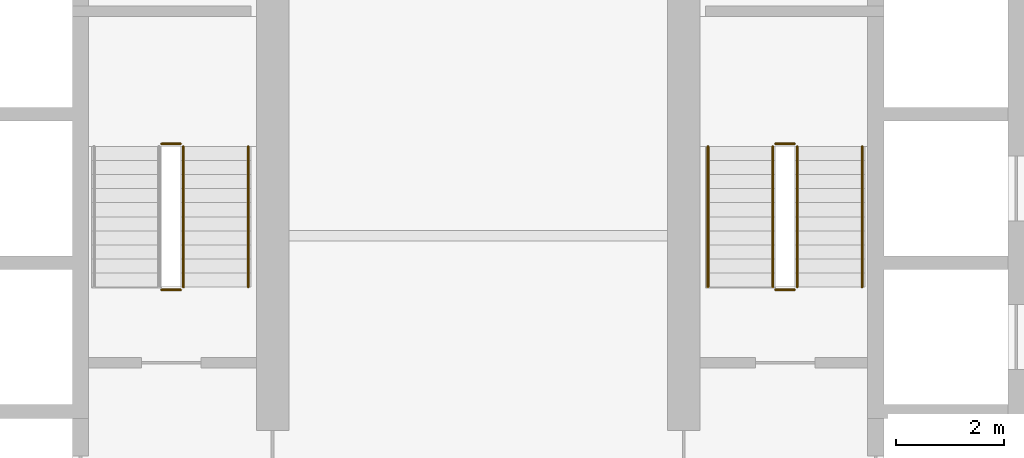
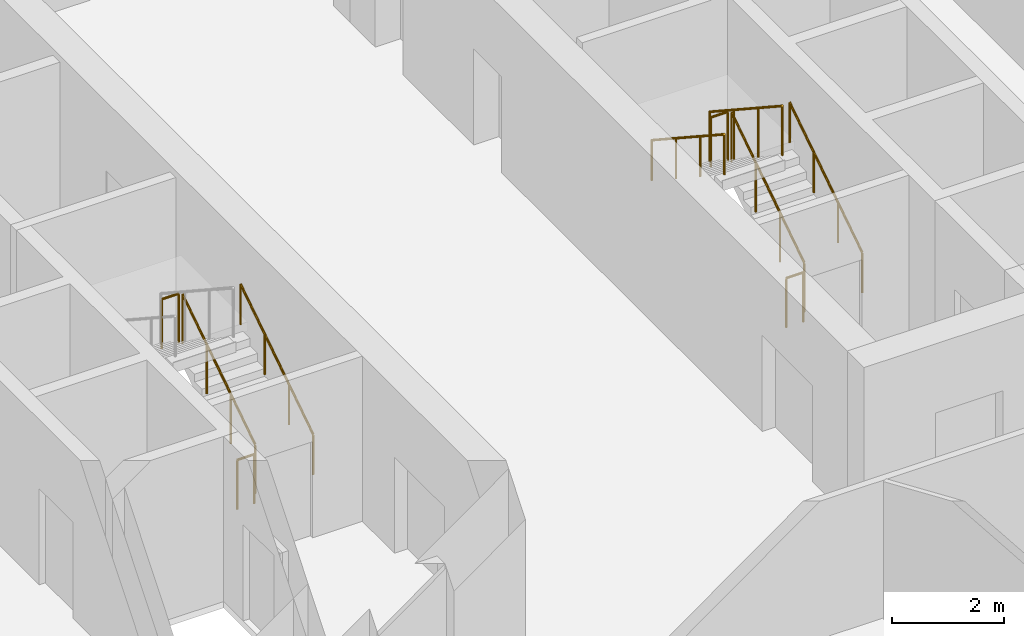
# One storey, part 31 of 35: 10 railings.
"""IFC4 building model written with IfcOpenShell, lengths in metres."""

from ifc_helpers import new_model, si_unit, direction, frame, origin, origin_2d, place, context, subcontext, project, spatial, circle, extrude, material, type_object, element, save


model = new_model("IFC4")

# Units and contexts
model_context = context("Model", 3, precision=1e-05, world=origin(), true_north=direction((0.0, 1.0)))
body_context = subcontext(model_context, "Body", "Model", "MODEL_VIEW")
ifc_project = project(units=[si_unit("LENGTHUNIT", "METRE"), si_unit("AREAUNIT", "SQUARE_METRE"), si_unit("VOLUMEUNIT", "CUBIC_METRE"), si_unit("PLANEANGLEUNIT", "RADIAN"), si_unit("MASSUNIT", "GRAM", prefix="KILO")], contexts=[model_context])

# Site, building, storey
site_placement = place(None, origin())
site = spatial("IfcSite", under=ifc_project, at=site_placement, CompositionType="ELEMENT")
building_placement = place(site_placement, origin())
building = spatial("IfcBuilding", under=site, at=building_placement, Name="Tamarind Cross Interchange Tower", CompositionType="ELEMENT")
storey_placement = place(building_placement, frame((0.0, 0.0, 155.5)))
storey = spatial("IfcBuildingStorey", under=building, at=storey_placement, Name="L38", CompositionType="ELEMENT", Elevation=155.5)

# Railings
ifc_material_1 = material(Name="Stair guard")
railing_type_1 = type_object("IfcRailingType", Name="Stair guard", PredefinedType="GUARDRAIL", material=ifc_material_1)
railing_1_placement = place(storey_placement, frame((-5.449951171875, -3.199951171875, 0.17041015625)))
element("IfcRailing", 1, at=railing_1_placement, inside=storey, type_object=railing_type_1, Name="L38 ST1 stair guard 1", PredefinedType="GUARDRAIL", context=body_context, shape_type="SweptSolid", body=[
    extrude(circle(Radius=0.02392578125, at=origin_2d()), frame((0.0, 0.0, 1.076171875), z_axis=(0.0, 0.836278606002, 0.548304744775), x_axis=(-1.0, 0.0, 0.0)), (0.0, 0.0, 1.0), 3.10888671875),
    extrude(circle(Radius=0.02099609375, at=origin_2d()), origin(), (0.0, 0.0, 1.0), 1.052001953125),
    extrude(circle(Radius=0.02099609375, at=origin_2d()), frame((0.0, 0.86669921875, 0.568115234375)), (0.0, 0.0, 1.0), 1.052001953125),
    extrude(circle(Radius=0.02099609375, at=origin_2d()), frame((0.0, 1.733154296875, 1.136474609375)), (0.0, 0.0, 1.0), 1.052001953125),
    extrude(circle(Radius=0.02099609375, at=origin_2d()), frame((0.0, 2.599853515625, 1.70458984375)), (0.0, 0.0, 1.0), 1.052001953125),
])
for number, where, name in (
    (2, (-5.5, -0.550048828125, 1.875), "L38 ST1 stair guard 2"),
    (3, (-5.5, -3.25, 0.0), "L38 ST1 stair guard 4"),
):
    element("IfcRailing", number, at=place(storey_placement, frame(where)), inside=storey, type_object=railing_type_1, Name=name, PredefinedType="GUARDRAIL", context=body_context, shape_type="SweptSolid", body=[
        extrude(circle(Radius=0.02392578125, at=origin_2d()), frame((0.0, 0.0, 1.076171875), z_axis=(-1.0, 0.0, 0.0), x_axis=(0.0, -1.0, 0.0)), (0.0, 0.0, 1.0), 0.35009765625),
        extrude(circle(Radius=0.02099609375, at=origin_2d()), origin(), (0.0, 0.0, 1.0), 1.052001953125),
        extrude(circle(Radius=0.02099609375, at=origin_2d()), frame((-0.35009765625, 0.0, 0.0)), (0.0, 0.0, 1.0), 1.052001953125),
    ])
railing_2_placement = place(storey_placement, frame((5.89990234375, -3.199951171875, 0.17041015625)))
element("IfcRailing", 4, at=railing_2_placement, inside=storey, type_object=railing_type_1, Name="L38 ST2 stair guard 1", PredefinedType="GUARDRAIL", context=body_context, shape_type="SweptSolid", body=[
    extrude(circle(Radius=0.02392578125, at=origin_2d()), frame((0.0, 0.0, 1.076171875), z_axis=(0.0, 0.836278606002, 0.548304744775), x_axis=(-1.0, 0.0, 0.0)), (0.0, 0.0, 1.0), 3.10888671875),
    extrude(circle(Radius=0.02099609375, at=origin_2d()), origin(), (0.0, 0.0, 1.0), 1.052001953125),
    extrude(circle(Radius=0.02099609375, at=origin_2d()), frame((0.0, 0.86669921875, 0.568115234375)), (0.0, 0.0, 1.0), 1.052001953125),
    extrude(circle(Radius=0.02099609375, at=origin_2d()), frame((0.0, 1.733154296875, 1.136474609375)), (0.0, 0.0, 1.0), 1.052001953125),
    extrude(circle(Radius=0.02099609375, at=origin_2d()), frame((0.0, 2.599853515625, 1.70458984375)), (0.0, 0.0, 1.0), 1.052001953125),
])
railing_3_placement = place(storey_placement, frame((5.85009765625, -0.550048828125, 1.875)))
element("IfcRailing", 5, at=railing_3_placement, inside=storey, type_object=railing_type_1, Name="L38 ST2 stair guard 2", PredefinedType="GUARDRAIL", context=body_context, shape_type="SweptSolid", body=[
    extrude(circle(Radius=0.02392578125, at=origin_2d()), frame((0.0, 0.0, 1.076171875), z_axis=(-1.0, 0.0, 0.0), x_axis=(0.0, -1.0, 0.0)), (0.0, 0.0, 1.0), 0.35009765625),
    extrude(circle(Radius=0.02099609375, at=origin_2d()), origin(), (0.0, 0.0, 1.0), 1.052001953125),
    extrude(circle(Radius=0.02099609375, at=origin_2d()), frame((-0.35009765625, 0.0, 0.0)), (0.0, 0.0, 1.0), 1.052001953125),
])
railing_4_placement = place(storey_placement, frame((5.449951171875, -0.60009765625, 2.04541015625)))
element("IfcRailing", 6, at=railing_4_placement, inside=storey, type_object=railing_type_1, Name="L38 ST2 stair guard 3", PredefinedType="GUARDRAIL", context=body_context, shape_type="SweptSolid", body=[
    extrude(circle(Radius=0.02392578125, at=origin_2d()), frame((0.0, 0.0, 1.076171875), z_axis=(0.0, -0.836278606002, 0.548304744775), x_axis=(1.0, 0.0, 0.0)), (0.0, 0.0, 1.0), 3.10888671875),
    extrude(circle(Radius=0.02099609375, at=origin_2d()), origin(), (0.0, 0.0, 1.0), 1.052001953125),
    extrude(circle(Radius=0.02099609375, at=origin_2d()), frame((0.0, -0.86669921875, 0.568115234375)), (0.0, 0.0, 1.0), 1.052001953125),
    extrude(circle(Radius=0.02099609375, at=origin_2d()), frame((0.0, -1.733154296875, 1.136474609375)), (0.0, 0.0, 1.0), 1.052001953125),
    extrude(circle(Radius=0.02099609375, at=origin_2d()), frame((0.0, -2.599853515625, 1.70458984375)), (0.0, 0.0, 1.0), 1.052001953125),
])
railing_5_placement = place(storey_placement, frame((5.85009765625, -3.25, 0.0)))
element("IfcRailing", 7, at=railing_5_placement, inside=storey, type_object=railing_type_1, Name="L38 ST2 stair guard 4", PredefinedType="GUARDRAIL", context=body_context, shape_type="SweptSolid", body=[
    extrude(circle(Radius=0.02392578125, at=origin_2d()), frame((0.0, 0.0, 1.076171875), z_axis=(-1.0, 0.0, 0.0), x_axis=(0.0, -1.0, 0.0)), (0.0, 0.0, 1.0), 0.35009765625),
    extrude(circle(Radius=0.02099609375, at=origin_2d()), origin(), (0.0, 0.0, 1.0), 1.052001953125),
    extrude(circle(Radius=0.02099609375, at=origin_2d()), frame((-0.35009765625, 0.0, 0.0)), (0.0, 0.0, 1.0), 1.052001953125),
])
ifc_material_2 = material(Name="Stair handrail")
railing_type_2 = type_object("IfcRailingType", Name="Stair handrail", PredefinedType="HANDRAIL", material=ifc_material_2)
for number, where, name in (
    (8, (-4.25, -3.199951171875, 0.17041015625), "L38 ST1 stair handrail 1"),
    (9, (7.10009765625, -3.199951171875, 0.17041015625), "L38 ST2 stair handrail 1"),
):
    element("IfcRailing", number, at=place(storey_placement, frame(where)), inside=storey, type_object=railing_type_2, Name=name, PredefinedType="HANDRAIL", context=body_context, shape_type="SweptSolid", body=[
        extrude(circle(Radius=0.02392578125, at=origin_2d()), frame((0.0, 0.0, 0.8759765625), z_axis=(0.0, 0.836278606002, 0.548304744775), x_axis=(-1.0, 0.0, 0.0)), (0.0, 0.0, 1.0), 3.10888671875),
        extrude(circle(Radius=0.02099609375, at=origin_2d()), origin(), (0.0, 0.0, 1.0), 0.851806640625),
        extrude(circle(Radius=0.02099609375, at=origin_2d()), frame((0.0, 0.86669921875, 0.568115234375)), (0.0, 0.0, 1.0), 0.851806640625),
        extrude(circle(Radius=0.02099609375, at=origin_2d()), frame((0.0, 1.733154296875, 1.136474609375)), (0.0, 0.0, 1.0), 0.851806640625),
        extrude(circle(Radius=0.02099609375, at=origin_2d()), frame((0.0, 2.599853515625, 1.70458984375)), (0.0, 0.0, 1.0), 0.851806640625),
    ])
railing_6_placement = place(storey_placement, frame((4.25, -0.60009765625, 2.04541015625)))
element("IfcRailing", 10, at=railing_6_placement, inside=storey, type_object=railing_type_2, Name="L38 ST2 stair handrail 2", PredefinedType="HANDRAIL", context=body_context, shape_type="SweptSolid", body=[
    extrude(circle(Radius=0.02392578125, at=origin_2d()), frame((0.0, 0.0, 0.8759765625), z_axis=(0.0, -0.836278606002, 0.548304744775), x_axis=(1.0, 0.0, 0.0)), (0.0, 0.0, 1.0), 3.10888671875),
    extrude(circle(Radius=0.02099609375, at=origin_2d()), origin(), (0.0, 0.0, 1.0), 0.851806640625),
    extrude(circle(Radius=0.02099609375, at=origin_2d()), frame((0.0, -0.86669921875, 0.568115234375)), (0.0, 0.0, 1.0), 0.851806640625),
    extrude(circle(Radius=0.02099609375, at=origin_2d()), frame((0.0, -1.733154296875, 1.136474609375)), (0.0, 0.0, 1.0), 0.851806640625),
    extrude(circle(Radius=0.02099609375, at=origin_2d()), frame((0.0, -2.599853515625, 1.70458984375)), (0.0, 0.0, 1.0), 0.851806640625),
])

save(model, "model.ifc")
